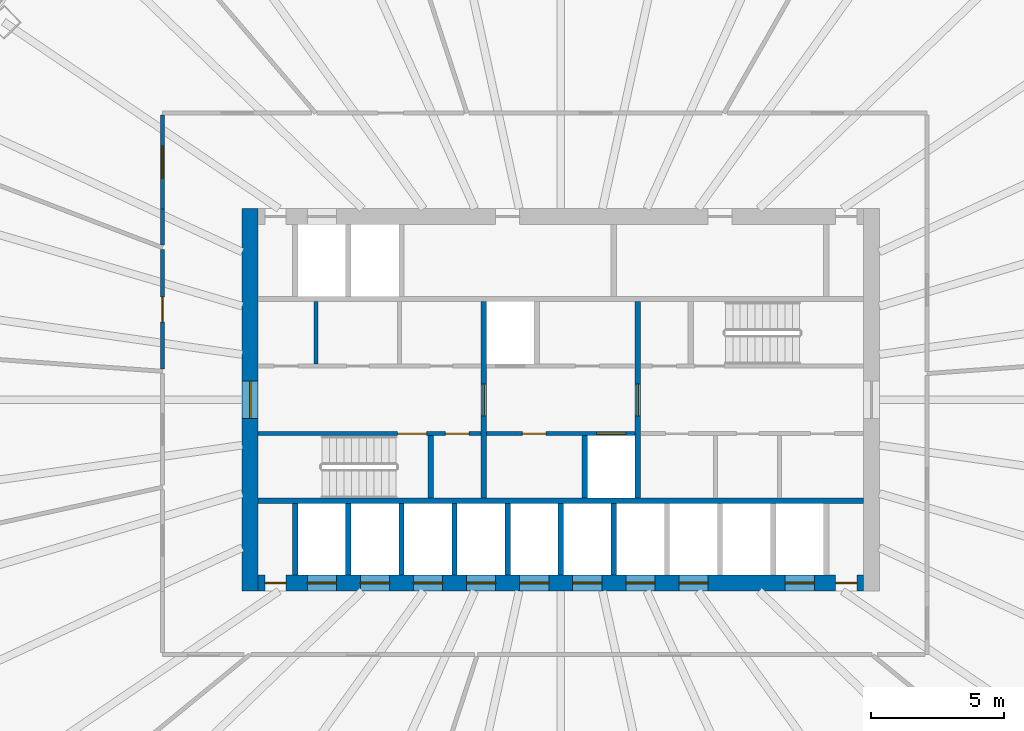
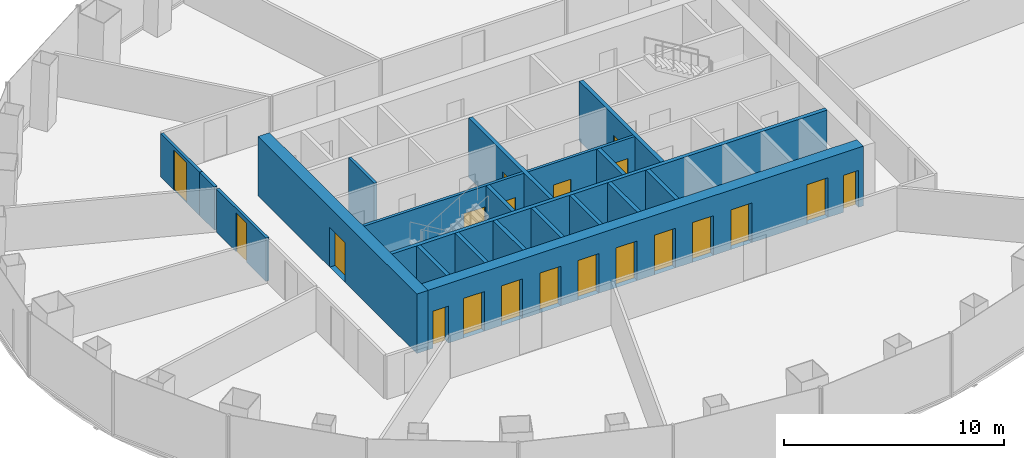
# One storey, part 8 of 11: 20 doors, 20 walls, 20 openings.
"""IFC4 building model written with IfcOpenShell, lengths in metres."""

from ifc_helpers import new_model, si_unit, direction, frame, frame_2d, origin, place, context, subcontext, project, spatial, rectangle, extrude, material, layer, layer_set, type_object, element, fill, save


model = new_model("IFC4")

# Units and contexts
model_context = context("Model", 3, precision=1e-05, world=origin(), true_north=direction((0.0, 1.0)))
body_context = subcontext(model_context, "Body", "Model", "MODEL_VIEW")
ifc_project = project(units=[si_unit("LENGTHUNIT", "METRE"), si_unit("AREAUNIT", "SQUARE_METRE"), si_unit("VOLUMEUNIT", "CUBIC_METRE"), si_unit("PLANEANGLEUNIT", "RADIAN"), si_unit("MASSUNIT", "GRAM", prefix="KILO")], contexts=[model_context])

# Site, building, storey
site_placement = place(None, origin())
site = spatial("IfcSite", under=ifc_project, at=site_placement, CompositionType="ELEMENT")
building_placement = place(site_placement, origin())
building = spatial("IfcBuilding", under=site, at=building_placement, Name="Siaravel Broadcast Tower", CompositionType="ELEMENT")
storey_placement = place(building_placement, frame((0.0, 0.0, 40.800048828125)))
storey = spatial("IfcBuildingStorey", under=building, at=storey_placement, Name="L08", CompositionType="ELEMENT", Elevation=40.800048828125)

# Wall
ifc_material_1 = material(Name="Concrete blockwork", Category="masonry")
ifc_layer_1 = layer(ifc_material_1, 0.14990234375)
ifc_layer_set_1 = layer_set([ifc_layer_1], Name="Concrete blockwork")
wall_type_1 = type_object("IfcWallType", Name="Core partition 150", PredefinedType="PARTITIONING", material=ifc_layer_set_1)
wall_1_placement = place(storey_placement, frame((-9.218994140625, 1.35009765625, 0.0), z_axis=(0.0, 0.0, 1.0), x_axis=(0.0, 1.0, 0.0)))
element("IfcWall", 1, at=wall_1_placement, inside=storey, type_object=wall_type_1, Name="L08 core partition PNW0", PredefinedType="PARTITIONING", context=body_context, shape_type="SweptSolid", body=[
    extrude(rectangle(XDim=2.349853515625, YDim=0.14990234375, at=frame_2d((1.1748046875, 0.0))), origin(), (0.0, 0.0, 1.0), 3.300048828125),
])

# Wall, opening, door
ifc_material_2 = material(Name="Concrete C60/75", Category="concrete")
ifc_layer_2 = layer(ifc_material_2, 0.60009765625)
ifc_layer_set_2 = layer_set([ifc_layer_2], Name="Concrete C60/75")
wall_type_2 = type_object("IfcWallType", Name="Core wall 600", PredefinedType="SHEAR", material=ifc_layer_set_2)
wall_2_placement = place(storey_placement, frame((-11.699951171875, -7.199951171875, 0.0), z_axis=(0.0, 0.0, 1.0), x_axis=(0.0, 1.0, 0.0)))
wall_2 = element("IfcWall", 2, at=wall_2_placement, inside=storey, type_object=wall_type_2, Name="L08 core wall OW", PredefinedType="SHEAR", context=body_context, shape_type="SweptSolid", body=[
    extrude(rectangle(XDim=14.39990234375, YDim=0.60009765625, at=frame_2d((7.199951171875, 0.0))), origin(), (0.0, 0.0, 1.0), 3.300048828125),
])
opening_1_placement = place(wall_2_placement, frame((6.5, 0.0, 0.0)))
opening_1 = element("IfcOpeningElement", 3, at=opening_1_placement, cuts=wall_2, Name="Opening L08-DX-W", PredefinedType="OPENING", context=body_context, shape_type="SweptSolid", body=[
    extrude(rectangle(XDim=1.39990234375, YDim=2.199951171875, at=frame_2d((0.699951171875, 1.10009765625))), frame((0.0, 0.31005859375, 0.0), z_axis=(0.0, -1.0, 0.0), x_axis=(1.0, 0.0, 0.0)), (0.0, 0.0, 1.0), 0.6201171875),
])
ifc_material_3 = material(Name="Steel", Category="steel")
door_type_1 = type_object("IfcDoorType", Name="Core exit door 1400", OperationType="DOUBLE_DOOR_SINGLE_SWING", PredefinedType="DOOR", material=ifc_material_3)
door_1_placement = place(opening_1_placement, origin())
door_1 = element("IfcDoor", 4, at=door_1_placement, inside=storey, type_object=door_type_1, Name="L08 door DX-W", OperationType="DOUBLE_DOOR_SINGLE_SWING", OverallHeight=2.199951171875, OverallWidth=1.39990234375, PredefinedType="DOOR", context=body_context, shape_type="SweptSolid", body=[
    extrude(rectangle(XDim=1.39990234375, YDim=2.199951171875, at=frame_2d((0.699951171875, 1.10009765625))), frame((0.0, 0.02490234375, 0.0), z_axis=(0.0, -1.0, 0.0), x_axis=(1.0, 0.0, 0.0)), (0.0, 0.0, 1.0), 0.050048828125),
])
fill(opening_1, door_1)

# Wall, openings, doors
wall_3_placement = place(storey_placement, frame((-11.39990234375, -6.89990234375, 0.0), z_axis=(0.0, 0.0, 1.0), x_axis=(1.0, 0.0, 0.0)))
wall_3 = element("IfcWall", 5, at=wall_3_placement, inside=storey, type_object=wall_type_2, Name="L08 core wall OS", PredefinedType="SHEAR", context=body_context, shape_type="SweptSolid", body=[
    extrude(rectangle(XDim=22.7998046875, YDim=0.60009765625, at=frame_2d((11.39990234375, 0.0))), origin(), (0.0, 0.0, 1.0), 3.300048828125),
])
opening_2_placement = place(wall_3_placement, frame((1.85009765625, 0.0, 0.0)))
opening_2 = element("IfcOpeningElement", 6, at=opening_2_placement, cuts=wall_3, Name="Opening LD-LP1-L08", PredefinedType="OPENING", context=body_context, shape_type="SweptSolid", body=[
    extrude(rectangle(XDim=1.10009765625, YDim=2.199951171875, at=frame_2d((0.550048828125, 1.10009765625))), frame((0.0, 0.31005859375, 0.0), z_axis=(0.0, -1.0, 0.0), x_axis=(1.0, 0.0, 0.0)), (0.0, 0.0, 1.0), 0.6201171875),
])
opening_3_placement = place(wall_3_placement, frame((3.85009765625, 0.0, 0.0)))
opening_3 = element("IfcOpeningElement", 7, at=opening_3_placement, cuts=wall_3, Name="Opening LD-LP2-L08", PredefinedType="OPENING", context=body_context, shape_type="SweptSolid", body=[
    extrude(rectangle(XDim=1.10009765625, YDim=2.199951171875, at=frame_2d((0.550048828125, 1.10009765625))), frame((0.0, 0.31005859375, 0.0), z_axis=(0.0, -1.0, 0.0), x_axis=(1.0, 0.0, 0.0)), (0.0, 0.0, 1.0), 0.6201171875),
])
opening_4_placement = place(wall_3_placement, frame((5.85009765625, 0.0, 0.0)))
opening_4 = element("IfcOpeningElement", 8, at=opening_4_placement, cuts=wall_3, Name="Opening LD-LP3-L08", PredefinedType="OPENING", context=body_context, shape_type="SweptSolid", body=[
    extrude(rectangle(XDim=1.10009765625, YDim=2.199951171875, at=frame_2d((0.550048828125, 1.10009765625))), frame((0.0, 0.31005859375, 0.0), z_axis=(0.0, -1.0, 0.0), x_axis=(1.0, 0.0, 0.0)), (0.0, 0.0, 1.0), 0.6201171875),
])
opening_5_placement = place(wall_3_placement, frame((7.85009765625, 0.0, 0.0)))
opening_5 = element("IfcOpeningElement", 9, at=opening_5_placement, cuts=wall_3, Name="Opening LD-LP4-L08", PredefinedType="OPENING", context=body_context, shape_type="SweptSolid", body=[
    extrude(rectangle(XDim=1.10009765625, YDim=2.199951171875, at=frame_2d((0.550048828125, 1.10009765625))), frame((0.0, 0.31005859375, 0.0), z_axis=(0.0, -1.0, 0.0), x_axis=(1.0, 0.0, 0.0)), (0.0, 0.0, 1.0), 0.6201171875),
])
opening_6_placement = place(wall_3_placement, frame((9.85009765625, 0.0, 0.0)))
opening_6 = element("IfcOpeningElement", 10, at=opening_6_placement, cuts=wall_3, Name="Opening LD-LP5-L08", PredefinedType="OPENING", context=body_context, shape_type="SweptSolid", body=[
    extrude(rectangle(XDim=1.10009765625, YDim=2.199951171875, at=frame_2d((0.550048828125, 1.10009765625))), frame((0.0, 0.31005859375, 0.0), z_axis=(0.0, -1.0, 0.0), x_axis=(1.0, 0.0, 0.0)), (0.0, 0.0, 1.0), 0.6201171875),
])
opening_7_placement = place(wall_3_placement, frame((11.85009765625, 0.0, 0.0)))
opening_7 = element("IfcOpeningElement", 11, at=opening_7_placement, cuts=wall_3, Name="Opening LD-LP6-L08", PredefinedType="OPENING", context=body_context, shape_type="SweptSolid", body=[
    extrude(rectangle(XDim=1.10009765625, YDim=2.199951171875, at=frame_2d((0.550048828125, 1.10009765625))), frame((0.0, 0.31005859375, 0.0), z_axis=(0.0, -1.0, 0.0), x_axis=(1.0, 0.0, 0.0)), (0.0, 0.0, 1.0), 0.6201171875),
])
opening_8_placement = place(wall_3_placement, frame((13.85009765625, 0.0, 0.0)))
opening_8 = element("IfcOpeningElement", 12, at=opening_8_placement, cuts=wall_3, Name="Opening LD-LP7-L08", PredefinedType="OPENING", context=body_context, shape_type="SweptSolid", body=[
    extrude(rectangle(XDim=1.10009765625, YDim=2.199951171875, at=frame_2d((0.550048828125, 1.10009765625))), frame((0.0, 0.31005859375, 0.0), z_axis=(0.0, -1.0, 0.0), x_axis=(1.0, 0.0, 0.0)), (0.0, 0.0, 1.0), 0.6201171875),
])
opening_9_placement = place(wall_3_placement, frame((15.85009765625, 0.0, 0.0)))
opening_9 = element("IfcOpeningElement", 13, at=opening_9_placement, cuts=wall_3, Name="Opening LD-LP8-L08", PredefinedType="OPENING", context=body_context, shape_type="SweptSolid", body=[
    extrude(rectangle(XDim=1.10009765625, YDim=2.199951171875, at=frame_2d((0.550048828125, 1.10009765625))), frame((0.0, 0.31005859375, 0.0), z_axis=(0.0, -1.0, 0.0), x_axis=(1.0, 0.0, 0.0)), (0.0, 0.0, 1.0), 0.6201171875),
])
opening_10_placement = place(wall_3_placement, frame((19.85009765625, 0.0, 0.0)))
opening_10 = element("IfcOpeningElement", 14, at=opening_10_placement, cuts=wall_3, Name="Opening LD-SV1-L08", PredefinedType="OPENING", context=body_context, shape_type="SweptSolid", body=[
    extrude(rectangle(XDim=1.10009765625, YDim=2.199951171875, at=frame_2d((0.550048828125, 1.10009765625))), frame((0.0, 0.31005859375, 0.0), z_axis=(0.0, -1.0, 0.0), x_axis=(1.0, 0.0, 0.0)), (0.0, 0.0, 1.0), 0.6201171875),
])
opening_11_placement = place(wall_3_placement, frame((0.25, 0.0, 0.0)))
opening_11 = element("IfcOpeningElement", 15, at=opening_11_placement, cuts=wall_3, Name="Opening L08-DRSW", PredefinedType="OPENING", context=body_context, shape_type="SweptSolid", body=[
    extrude(rectangle(XDim=0.800048828125, YDim=2.050048828125, at=frame_2d((0.39990234375, 1.02490234375))), frame((0.0, 0.31005859375, 0.0), z_axis=(0.0, -1.0, 0.0), x_axis=(1.0, 0.0, 0.0)), (0.0, 0.0, 1.0), 0.6201171875),
])
opening_12_placement = place(wall_3_placement, frame((21.75, 0.0, 0.0)))
opening_12 = element("IfcOpeningElement", 16, at=opening_12_placement, cuts=wall_3, Name="Opening L08-DRSE", PredefinedType="OPENING", context=body_context, shape_type="SweptSolid", body=[
    extrude(rectangle(XDim=0.800048828125, YDim=2.050048828125, at=frame_2d((0.39990234375, 1.02490234375))), frame((0.0, 0.31005859375, 0.0), z_axis=(0.0, -1.0, 0.0), x_axis=(1.0, 0.0, 0.0)), (0.0, 0.0, 1.0), 0.6201171875),
])
ifc_material_4 = material(Name="Stainless steel 316L", Category="steel")
door_type_2 = type_object("IfcDoorType", Name="Lift landing door 1100", OperationType="DOUBLE_DOOR_SLIDING", PredefinedType="DOOR", material=ifc_material_4)
door_2_placement = place(opening_2_placement, origin())
door_2 = element("IfcDoor", 17, at=door_2_placement, inside=storey, type_object=door_type_2, Name="Landing door LP1 L08", OperationType="DOUBLE_DOOR_SLIDING", OverallHeight=2.199951171875, OverallWidth=1.10009765625, PredefinedType="DOOR", context=body_context, shape_type="SweptSolid", body=[
    extrude(rectangle(XDim=1.10009765625, YDim=2.199951171875, at=frame_2d((0.550048828125, 1.10009765625))), frame((0.0, 0.02490234375, 0.0), z_axis=(0.0, -1.0, 0.0), x_axis=(1.0, 0.0, 0.0)), (0.0, 0.0, 1.0), 0.050048828125),
])
fill(opening_2, door_2)
door_3_placement = place(opening_3_placement, origin())
door_3 = element("IfcDoor", 18, at=door_3_placement, inside=storey, type_object=door_type_2, Name="Landing door LP2 L08", OperationType="DOUBLE_DOOR_SLIDING", OverallHeight=2.199951171875, OverallWidth=1.10009765625, PredefinedType="DOOR", context=body_context, shape_type="SweptSolid", body=[
    extrude(rectangle(XDim=1.10009765625, YDim=2.199951171875, at=frame_2d((0.550048828125, 1.10009765625))), frame((0.0, 0.02490234375, 0.0), z_axis=(0.0, -1.0, 0.0), x_axis=(1.0, 0.0, 0.0)), (0.0, 0.0, 1.0), 0.050048828125),
])
fill(opening_3, door_3)
door_4_placement = place(opening_4_placement, origin())
door_4 = element("IfcDoor", 19, at=door_4_placement, inside=storey, type_object=door_type_2, Name="Landing door LP3 L08", OperationType="DOUBLE_DOOR_SLIDING", OverallHeight=2.199951171875, OverallWidth=1.10009765625, PredefinedType="DOOR", context=body_context, shape_type="SweptSolid", body=[
    extrude(rectangle(XDim=1.10009765625, YDim=2.199951171875, at=frame_2d((0.550048828125, 1.10009765625))), frame((0.0, 0.02490234375, 0.0), z_axis=(0.0, -1.0, 0.0), x_axis=(1.0, 0.0, 0.0)), (0.0, 0.0, 1.0), 0.050048828125),
])
fill(opening_4, door_4)
door_5_placement = place(opening_5_placement, origin())
door_5 = element("IfcDoor", 20, at=door_5_placement, inside=storey, type_object=door_type_2, Name="Landing door LP4 L08", OperationType="DOUBLE_DOOR_SLIDING", OverallHeight=2.199951171875, OverallWidth=1.10009765625, PredefinedType="DOOR", context=body_context, shape_type="SweptSolid", body=[
    extrude(rectangle(XDim=1.10009765625, YDim=2.199951171875, at=frame_2d((0.550048828125, 1.10009765625))), frame((0.0, 0.02490234375, 0.0), z_axis=(0.0, -1.0, 0.0), x_axis=(1.0, 0.0, 0.0)), (0.0, 0.0, 1.0), 0.050048828125),
])
fill(opening_5, door_5)
door_6_placement = place(opening_6_placement, origin())
door_6 = element("IfcDoor", 21, at=door_6_placement, inside=storey, type_object=door_type_2, Name="Landing door LP5 L08", OperationType="DOUBLE_DOOR_SLIDING", OverallHeight=2.199951171875, OverallWidth=1.10009765625, PredefinedType="DOOR", context=body_context, shape_type="SweptSolid", body=[
    extrude(rectangle(XDim=1.10009765625, YDim=2.199951171875, at=frame_2d((0.550048828125, 1.10009765625))), frame((0.0, 0.02490234375, 0.0), z_axis=(0.0, -1.0, 0.0), x_axis=(1.0, 0.0, 0.0)), (0.0, 0.0, 1.0), 0.050048828125),
])
fill(opening_6, door_6)
door_7_placement = place(opening_7_placement, origin())
door_7 = element("IfcDoor", 22, at=door_7_placement, inside=storey, type_object=door_type_2, Name="Landing door LP6 L08", OperationType="DOUBLE_DOOR_SLIDING", OverallHeight=2.199951171875, OverallWidth=1.10009765625, PredefinedType="DOOR", context=body_context, shape_type="SweptSolid", body=[
    extrude(rectangle(XDim=1.10009765625, YDim=2.199951171875, at=frame_2d((0.550048828125, 1.10009765625))), frame((0.0, 0.02490234375, 0.0), z_axis=(0.0, -1.0, 0.0), x_axis=(1.0, 0.0, 0.0)), (0.0, 0.0, 1.0), 0.050048828125),
])
fill(opening_7, door_7)
door_8_placement = place(opening_8_placement, origin())
door_8 = element("IfcDoor", 23, at=door_8_placement, inside=storey, type_object=door_type_2, Name="Landing door LP7 L08", OperationType="DOUBLE_DOOR_SLIDING", OverallHeight=2.199951171875, OverallWidth=1.10009765625, PredefinedType="DOOR", context=body_context, shape_type="SweptSolid", body=[
    extrude(rectangle(XDim=1.10009765625, YDim=2.199951171875, at=frame_2d((0.550048828125, 1.10009765625))), frame((0.0, 0.02490234375, 0.0), z_axis=(0.0, -1.0, 0.0), x_axis=(1.0, 0.0, 0.0)), (0.0, 0.0, 1.0), 0.050048828125),
])
fill(opening_8, door_8)
door_9_placement = place(opening_9_placement, origin())
door_9 = element("IfcDoor", 24, at=door_9_placement, inside=storey, type_object=door_type_2, Name="Landing door LP8 L08", OperationType="DOUBLE_DOOR_SLIDING", OverallHeight=2.199951171875, OverallWidth=1.10009765625, PredefinedType="DOOR", context=body_context, shape_type="SweptSolid", body=[
    extrude(rectangle(XDim=1.10009765625, YDim=2.199951171875, at=frame_2d((0.550048828125, 1.10009765625))), frame((0.0, 0.02490234375, 0.0), z_axis=(0.0, -1.0, 0.0), x_axis=(1.0, 0.0, 0.0)), (0.0, 0.0, 1.0), 0.050048828125),
])
fill(opening_9, door_9)
door_type_3 = type_object("IfcDoorType", Name="Riser door 800", OperationType="SINGLE_SWING_LEFT", PredefinedType="DOOR", material=ifc_material_3)
door_10_placement = place(opening_11_placement, origin())
door_10 = element("IfcDoor", 25, at=door_10_placement, inside=storey, type_object=door_type_3, Name="L08 door DRSW", OperationType="SINGLE_SWING_LEFT", OverallHeight=2.050048828125, OverallWidth=0.800048828125, PredefinedType="DOOR", context=body_context, shape_type="SweptSolid", body=[
    extrude(rectangle(XDim=0.800048828125, YDim=2.050048828125, at=frame_2d((0.39990234375, 1.02490234375))), frame((0.0, 0.02490234375, 0.0), z_axis=(0.0, -1.0, 0.0), x_axis=(1.0, 0.0, 0.0)), (0.0, 0.0, 1.0), 0.050048828125),
])
fill(opening_11, door_10)
door_11_placement = place(opening_12_placement, origin())
door_11 = element("IfcDoor", 26, at=door_11_placement, inside=storey, type_object=door_type_3, Name="L08 door DRSE", OperationType="SINGLE_SWING_LEFT", OverallHeight=2.050048828125, OverallWidth=0.800048828125, PredefinedType="DOOR", context=body_context, shape_type="SweptSolid", body=[
    extrude(rectangle(XDim=0.800048828125, YDim=2.050048828125, at=frame_2d((0.39990234375, 1.02490234375))), frame((0.0, 0.02490234375, 0.0), z_axis=(0.0, -1.0, 0.0), x_axis=(1.0, 0.0, 0.0)), (0.0, 0.0, 1.0), 0.050048828125),
])
fill(opening_12, door_11)
door_type_4 = type_object("IfcDoorType", Name="Service lift landing door 1100", OperationType="DOUBLE_DOOR_SLIDING", PredefinedType="DOOR", material=ifc_material_4)
door_12_placement = place(opening_10_placement, origin())
door_12 = element("IfcDoor", 27, at=door_12_placement, inside=storey, type_object=door_type_4, Name="Landing door SV1 L08", OperationType="DOUBLE_DOOR_SLIDING", OverallHeight=2.199951171875, OverallWidth=1.10009765625, PredefinedType="DOOR", context=body_context, shape_type="SweptSolid", body=[
    extrude(rectangle(XDim=1.10009765625, YDim=2.199951171875, at=frame_2d((0.550048828125, 1.10009765625))), frame((0.0, 0.02490234375, 0.0), z_axis=(0.0, -1.0, 0.0), x_axis=(1.0, 0.0, 0.0)), (0.0, 0.0, 1.0), 0.050048828125),
])
fill(opening_10, door_12)

# Wall, opening, door
ifc_material_5 = material(Name="Gypsum board partition", Category="gypsum")
ifc_layer_3 = layer(ifc_material_5, 0.14990234375)
ifc_layer_set_3 = layer_set([ifc_layer_3], Name="Gypsum board partition")
wall_type_3 = type_object("IfcWallType", Name="Corridor wall 150", PredefinedType="PARTITIONING", material=ifc_layer_set_3)
wall_4_placement = place(storey_placement, frame((-15.0, 5.6572265625, 0.0), z_axis=(0.0, 0.0, 1.0), x_axis=(0.0, -1.0, 0.0)))
wall_4 = element("IfcWall", 28, at=wall_4_placement, inside=storey, type_object=wall_type_3, Name="L08 partition 19", PredefinedType="PARTITIONING", context=body_context, shape_type="SweptSolid", body=[
    extrude(rectangle(XDim=4.499755859375, YDim=0.14990234375, at=frame_2d((2.25, 0.0))), origin(), (0.0, 0.0, 1.0), 2.39990234375),
])
opening_13_placement = place(wall_4_placement, frame((1.77490234375, 0.0, 0.0)))
opening_13 = element("IfcOpeningElement", 29, at=opening_13_placement, cuts=wall_4, Name="Opening L08-009", PredefinedType="OPENING", context=body_context, shape_type="SweptSolid", body=[
    extrude(rectangle(XDim=0.949951171875, YDim=2.14990234375, at=frame_2d((0.47509765625, 1.074951171875))), frame((0.0, 0.0849609375, 0.0), z_axis=(0.0, -1.0, 0.0), x_axis=(1.0, 0.0, 0.0)), (0.0, 0.0, 1.0), 0.169921875),
])
ifc_material_6 = material(Name="Timber veneer", Category="wood")
door_type_5 = type_object("IfcDoorType", Name="Office door 950", OperationType="SINGLE_SWING_LEFT", PredefinedType="DOOR", material=ifc_material_6)
door_13_placement = place(opening_13_placement, origin())
door_13 = element("IfcDoor", 30, at=door_13_placement, inside=storey, type_object=door_type_5, Name="L08 door to Graphics studio", OperationType="SINGLE_SWING_LEFT", OverallHeight=2.14990234375, OverallWidth=0.949951171875, PredefinedType="DOOR", context=body_context, shape_type="SweptSolid", body=[
    extrude(rectangle(XDim=0.949951171875, YDim=2.14990234375, at=frame_2d((0.47509765625, 1.074951171875))), frame((0.0, 0.02490234375, 0.0), z_axis=(0.0, -1.0, 0.0), x_axis=(1.0, 0.0, 0.0)), (0.0, 0.0, 1.0), 0.050048828125),
])
fill(opening_13, door_13)

wall_5_placement = place(storey_placement, frame((-15.0, 10.722900390625, 0.0), z_axis=(0.0, 0.0, 1.0), x_axis=(0.0, -1.0, 0.0)))
wall_5 = element("IfcWall", 31, at=wall_5_placement, inside=storey, type_object=wall_type_3, Name="L08 partition 22", PredefinedType="PARTITIONING", context=body_context, shape_type="SweptSolid", body=[
    extrude(rectangle(XDim=3.534912109375, YDim=0.14990234375, at=frame_2d((1.767578125, 0.0))), origin(), (0.0, 0.0, 1.0), 2.39990234375),
])
opening_14_placement = place(wall_5_placement, frame((1.16748046875, 0.0, 0.0)))
opening_14 = element("IfcOpeningElement", 32, at=opening_14_placement, cuts=wall_5, Name="Opening L08-008", PredefinedType="OPENING", context=body_context, shape_type="SweptSolid", body=[
    extrude(rectangle(XDim=1.199951171875, YDim=2.199951171875, at=frame_2d((0.60009765625, 1.10009765625))), frame((0.0, 0.0849609375, 0.0), z_axis=(0.0, -1.0, 0.0), x_axis=(1.0, 0.0, 0.0)), (0.0, 0.0, 1.0), 0.169921875),
])
door_type_6 = type_object("IfcDoorType", Name="Office double door 1200", OperationType="DOUBLE_DOOR_SINGLE_SWING", PredefinedType="DOOR", material=ifc_material_6)
door_14_placement = place(opening_14_placement, origin())
door_14 = element("IfcDoor", 33, at=door_14_placement, inside=storey, type_object=door_type_6, Name="L08 door to Open plan newsroom", OperationType="DOUBLE_DOOR_SINGLE_SWING", OverallHeight=2.199951171875, OverallWidth=1.199951171875, PredefinedType="DOOR", context=body_context, shape_type="SweptSolid", body=[
    extrude(rectangle(XDim=1.199951171875, YDim=2.199951171875, at=frame_2d((0.60009765625, 1.10009765625))), frame((0.0, 0.02490234375, 0.0), z_axis=(0.0, -1.0, 0.0), x_axis=(1.0, 0.0, 0.0)), (0.0, 0.0, 1.0), 0.050048828125),
])
fill(opening_14, door_14)

# Wall
wall_6_placement = place(storey_placement, frame((-15.0, 7.18701171875, 0.0), z_axis=(0.0, 0.0, 1.0), x_axis=(0.0, -1.0, 0.0)))
element("IfcWall", 34, at=wall_6_placement, inside=storey, type_object=wall_type_3, Name="L08 partition 28", PredefinedType="PARTITIONING", context=body_context, shape_type="SweptSolid", body=[
    extrude(rectangle(XDim=1.3466796875, YDim=0.14990234375, at=frame_2d((0.67333984375, 0.0))), origin(), (0.0, 0.0, 1.0), 2.39990234375),
])

# Wall, openings, doors
ifc_layer_4 = layer(ifc_material_2, 0.14990234375)
ifc_layer_set_4 = layer_set([ifc_layer_4], Name="Concrete C60/75")
wall_type_4 = type_object("IfcWallType", Name="Shaft wall 150", PredefinedType="SHEAR", material=ifc_layer_set_4)
wall_7_placement = place(storey_placement, frame((-11.39990234375, -1.27490234375, 0.0), z_axis=(0.0, 0.0, 1.0), x_axis=(1.0, 0.0, 0.0)))
wall_7 = element("IfcWall", 35, at=wall_7_placement, inside=storey, type_object=wall_type_4, Name="L08 core wall CSW", PredefinedType="SHEAR", context=body_context, shape_type="SweptSolid", body=[
    extrude(rectangle(XDim=8.39990234375, YDim=0.14990234375, at=frame_2d((4.199951171875, 0.0))), origin(), (0.0, 0.0, 1.0), 3.300048828125),
])
opening_15_placement = place(wall_7_placement, frame((5.25, 0.0, 0.0)))
opening_15 = element("IfcOpeningElement", 36, at=opening_15_placement, cuts=wall_7, Name="Opening L08-DS-1", PredefinedType="OPENING", context=body_context, shape_type="SweptSolid", body=[
    extrude(rectangle(XDim=1.10009765625, YDim=2.14990234375, at=frame_2d((0.550048828125, 1.074951171875))), frame((0.0, 0.0849609375, 0.0), z_axis=(0.0, -1.0, 0.0), x_axis=(1.0, 0.0, 0.0)), (0.0, 0.0, 1.0), 0.169921875),
])
opening_16_placement = place(wall_7_placement, frame((7.050048828125, 0.0, 0.0)))
opening_16 = element("IfcOpeningElement", 37, at=opening_16_placement, cuts=wall_7, Name="Opening L08-DSW0", PredefinedType="OPENING", context=body_context, shape_type="SweptSolid", body=[
    extrude(rectangle(XDim=0.89990234375, YDim=2.10009765625, at=frame_2d((0.449951171875, 1.050048828125))), frame((0.0, 0.0849609375, 0.0), z_axis=(0.0, -1.0, 0.0), x_axis=(1.0, 0.0, 0.0)), (0.0, 0.0, 1.0), 0.169921875),
])
door_type_7 = type_object("IfcDoorType", Name="Core room door 900", OperationType="SINGLE_SWING_LEFT", PredefinedType="DOOR", material=ifc_material_6)
door_15_placement = place(opening_16_placement, origin())
door_15 = element("IfcDoor", 38, at=door_15_placement, inside=storey, type_object=door_type_7, Name="L08 door DSW0", OperationType="SINGLE_SWING_LEFT", OverallHeight=2.10009765625, OverallWidth=0.89990234375, PredefinedType="DOOR", context=body_context, shape_type="SweptSolid", body=[
    extrude(rectangle(XDim=0.89990234375, YDim=2.10009765625, at=frame_2d((0.449951171875, 1.050048828125))), frame((0.0, 0.02490234375, 0.0), z_axis=(0.0, -1.0, 0.0), x_axis=(1.0, 0.0, 0.0)), (0.0, 0.0, 1.0), 0.050048828125),
])
fill(opening_16, door_15)
door_type_8 = type_object("IfcDoorType", Name="Stair door 1100", OperationType="SINGLE_SWING_LEFT", PredefinedType="DOOR", material=ifc_material_3)
door_16_placement = place(opening_15_placement, origin())
door_16 = element("IfcDoor", 39, at=door_16_placement, inside=storey, type_object=door_type_8, Name="L08 door DS-1", OperationType="SINGLE_SWING_LEFT", OverallHeight=2.14990234375, OverallWidth=1.10009765625, PredefinedType="DOOR", context=body_context, shape_type="SweptSolid", body=[
    extrude(rectangle(XDim=1.10009765625, YDim=2.14990234375, at=frame_2d((0.550048828125, 1.074951171875))), frame((0.0, 0.02490234375, 0.0), z_axis=(0.0, -1.0, 0.0), x_axis=(1.0, 0.0, 0.0)), (0.0, 0.0, 1.0), 0.050048828125),
])
fill(opening_15, door_16)

wall_8_placement = place(storey_placement, frame((-2.800048828125, -1.27490234375, 0.0), z_axis=(0.0, 0.0, 1.0), x_axis=(1.0, 0.0, 0.0)))
wall_8 = element("IfcWall", 40, at=wall_8_placement, inside=storey, type_object=wall_type_4, Name="L08 core wall CSM", PredefinedType="SHEAR", context=body_context, shape_type="SweptSolid", body=[
    extrude(rectangle(XDim=5.60009765625, YDim=0.14990234375, at=frame_2d((2.800048828125, 0.0))), origin(), (0.0, 0.0, 1.0), 3.300048828125),
])
opening_17_placement = place(wall_8_placement, frame((4.14990234375, 0.0, 0.0)))
opening_17 = element("IfcOpeningElement", 41, at=opening_17_placement, cuts=wall_8, Name="Opening LD-FL2-L08", PredefinedType="OPENING", context=body_context, shape_type="SweptSolid", body=[
    extrude(rectangle(XDim=1.10009765625, YDim=2.199951171875, at=frame_2d((0.550048828125, 1.10009765625))), frame((0.0, 0.0849609375, 0.0), z_axis=(0.0, -1.0, 0.0), x_axis=(1.0, 0.0, 0.0)), (0.0, 0.0, 1.0), 0.169921875),
])
opening_18_placement = place(wall_8_placement, frame((1.35009765625, 0.0, 0.0)))
opening_18 = element("IfcOpeningElement", 42, at=opening_18_placement, cuts=wall_8, Name="Opening L08-DSM0", PredefinedType="OPENING", context=body_context, shape_type="SweptSolid", body=[
    extrude(rectangle(XDim=0.89990234375, YDim=2.10009765625, at=frame_2d((0.449951171875, 1.050048828125))), frame((0.0, 0.0849609375, 0.0), z_axis=(0.0, -1.0, 0.0), x_axis=(1.0, 0.0, 0.0)), (0.0, 0.0, 1.0), 0.169921875),
])
door_17_placement = place(opening_18_placement, origin())
door_17 = element("IfcDoor", 43, at=door_17_placement, inside=storey, type_object=door_type_7, Name="L08 door DSM0", OperationType="SINGLE_SWING_LEFT", OverallHeight=2.10009765625, OverallWidth=0.89990234375, PredefinedType="DOOR", context=body_context, shape_type="SweptSolid", body=[
    extrude(rectangle(XDim=0.89990234375, YDim=2.10009765625, at=frame_2d((0.449951171875, 1.050048828125))), frame((0.0, 0.02490234375, 0.0), z_axis=(0.0, -1.0, 0.0), x_axis=(1.0, 0.0, 0.0)), (0.0, 0.0, 1.0), 0.050048828125),
])
fill(opening_18, door_17)
door_type_9 = type_object("IfcDoorType", Name="Firefighting lift landing door 1100", OperationType="DOUBLE_DOOR_SLIDING", PredefinedType="DOOR", material=ifc_material_4)
door_18_placement = place(opening_17_placement, origin())
door_18 = element("IfcDoor", 44, at=door_18_placement, inside=storey, type_object=door_type_9, Name="Landing door FL2 L08", OperationType="DOUBLE_DOOR_SLIDING", OverallHeight=2.199951171875, OverallWidth=1.10009765625, PredefinedType="DOOR", context=body_context, shape_type="SweptSolid", body=[
    extrude(rectangle(XDim=1.10009765625, YDim=2.199951171875, at=frame_2d((0.550048828125, 1.10009765625))), frame((0.0, 0.02490234375, 0.0), z_axis=(0.0, -1.0, 0.0), x_axis=(1.0, 0.0, 0.0)), (0.0, 0.0, 1.0), 0.050048828125),
])
fill(opening_17, door_18)

# Walls
ifc_layer_5 = layer(ifc_material_2, 0.199951171875)
ifc_layer_set_5 = layer_set([ifc_layer_5], Name="Concrete C60/75")
wall_type_5 = type_object("IfcWallType", Name="Shaft wall 200", PredefinedType="SHEAR", material=ifc_layer_set_5)
wall_9_placement = place(storey_placement, frame((-11.39990234375, -3.800048828125, 0.0), z_axis=(0.0, 0.0, 1.0), x_axis=(1.0, 0.0, 0.0)))
element("IfcWall", 45, at=wall_9_placement, inside=storey, type_object=wall_type_5, Name="L08 core wall BS", PredefinedType="SHEAR", context=body_context, shape_type="SweptSolid", body=[
    extrude(rectangle(XDim=22.7998046875, YDim=0.199951171875, at=frame_2d((11.39990234375, 0.0))), origin(), (0.0, 0.0, 1.0), 3.300048828125),
])
for number, where, z_axis, x_axis, name in (
    (46, (-10.0, -6.60009765625, 0.0), (0.0, 0.0, 1.0), (0.0, 1.0, 0.0), "L08 core wall SWS0"),
    (47, (-8.0, -6.60009765625, 0.0), (0.0, 0.0, 1.0), (0.0, 1.0, 0.0), "L08 core wall SWS1"),
    (48, (-6.0, -6.60009765625, 0.0), (0.0, 0.0, 1.0), (0.0, 1.0, 0.0), "L08 core wall SWS2"),
    (49, (-4.0, -6.60009765625, 0.0), (0.0, 0.0, 1.0), (0.0, 1.0, 0.0), "L08 core wall SWS3"),
    (50, (-2.0, -6.60009765625, 0.0), (0.0, 0.0, 1.0), (0.0, 1.0, 0.0), "L08 core wall SWS4"),
    (51, (0.0, -6.60009765625, 0.0), (0.0, 0.0, 1.0), (0.0, 1.0, 0.0), "L08 core wall SWS5"),
    (52, (2.0, -6.60009765625, 0.0), (0.0, 0.0, 1.0), (0.0, 1.0, 0.0), "L08 core wall SWS6"),
):
    element("IfcWall", number, at=place(storey_placement, frame(where, z_axis=z_axis, x_axis=x_axis)), inside=storey, type_object=wall_type_5, Name=name, PredefinedType="SHEAR", context=body_context, shape_type="SweptSolid", body=[
        extrude(rectangle(XDim=2.7001953125, YDim=0.199951171875, at=frame_2d((1.35009765625, 0.0))), origin(), (0.0, 0.0, 1.0), 3.300048828125),
    ])

# Wall, opening, door
wall_10_placement = place(storey_placement, frame((-2.89990234375, -3.699951171875, 0.0), z_axis=(0.0, 0.0, 1.0), x_axis=(0.0, 1.0, 0.0)))
wall_10 = element("IfcWall", 53, at=wall_10_placement, inside=storey, type_object=wall_type_5, Name="L08 core wall LW", PredefinedType="SHEAR", context=body_context, shape_type="SweptSolid", body=[
    extrude(rectangle(XDim=7.39990234375, YDim=0.199951171875, at=frame_2d((3.699951171875, 0.0))), origin(), (0.0, 0.0, 1.0), 3.300048828125),
])
opening_19_placement = place(wall_10_placement, frame((3.10009765625, 0.0, 0.0)))
opening_19 = element("IfcOpeningElement", 54, at=opening_19_placement, cuts=wall_10, Name="Opening L08-DL-W", PredefinedType="OPENING", context=body_context, shape_type="SweptSolid", body=[
    extrude(rectangle(XDim=1.199951171875, YDim=2.199951171875, at=frame_2d((0.60009765625, 1.10009765625))), frame((0.0, 0.10986328125, 0.0), z_axis=(0.0, -1.0, 0.0), x_axis=(1.0, 0.0, 0.0)), (0.0, 0.0, 1.0), 0.219970703125),
])
door_type_10 = type_object("IfcDoorType", Name="Firefighting lobby door 1200", OperationType="SINGLE_SWING_LEFT", PredefinedType="DOOR", material=ifc_material_3)
door_19_placement = place(opening_19_placement, origin())
door_19 = element("IfcDoor", 55, at=door_19_placement, inside=storey, type_object=door_type_10, Name="L08 door DL-W", OperationType="SINGLE_SWING_LEFT", OverallHeight=2.199951171875, OverallWidth=1.199951171875, PredefinedType="DOOR", context=body_context, shape_type="SweptSolid", body=[
    extrude(rectangle(XDim=1.199951171875, YDim=2.199951171875, at=frame_2d((0.60009765625, 1.10009765625))), frame((0.0, 0.02490234375, 0.0), z_axis=(0.0, -1.0, 0.0), x_axis=(1.0, 0.0, 0.0)), (0.0, 0.0, 1.0), 0.050048828125),
])
fill(opening_19, door_19)

wall_11_placement = place(storey_placement, frame((2.89990234375, -3.699951171875, 0.0), z_axis=(0.0, 0.0, 1.0), x_axis=(0.0, 1.0, 0.0)))
wall_11 = element("IfcWall", 56, at=wall_11_placement, inside=storey, type_object=wall_type_5, Name="L08 core wall LE", PredefinedType="SHEAR", context=body_context, shape_type="SweptSolid", body=[
    extrude(rectangle(XDim=7.39990234375, YDim=0.199951171875, at=frame_2d((3.699951171875, 0.0))), origin(), (0.0, 0.0, 1.0), 3.300048828125),
])
opening_20_placement = place(wall_11_placement, frame((3.10009765625, 0.0, 0.0)))
opening_20 = element("IfcOpeningElement", 57, at=opening_20_placement, cuts=wall_11, Name="Opening L08-DL-E", PredefinedType="OPENING", context=body_context, shape_type="SweptSolid", body=[
    extrude(rectangle(XDim=1.199951171875, YDim=2.199951171875, at=frame_2d((0.60009765625, 1.10009765625))), frame((0.0, 0.10986328125, 0.0), z_axis=(0.0, -1.0, 0.0), x_axis=(1.0, 0.0, 0.0)), (0.0, 0.0, 1.0), 0.219970703125),
])
door_20_placement = place(opening_20_placement, origin())
door_20 = element("IfcDoor", 58, at=door_20_placement, inside=storey, type_object=door_type_10, Name="L08 door DL-E", OperationType="SINGLE_SWING_LEFT", OverallHeight=2.199951171875, OverallWidth=1.199951171875, PredefinedType="DOOR", context=body_context, shape_type="SweptSolid", body=[
    extrude(rectangle(XDim=1.199951171875, YDim=2.199951171875, at=frame_2d((0.60009765625, 1.10009765625))), frame((0.0, 0.02490234375, 0.0), z_axis=(0.0, -1.0, 0.0), x_axis=(1.0, 0.0, 0.0)), (0.0, 0.0, 1.0), 0.050048828125),
])
fill(opening_20, door_20)

# Walls
for number, where, z_axis, x_axis, name in (
    (59, (0.89990234375, -3.699951171875, 0.0), (0.0, 0.0, 1.0), (0.0, 1.0, 0.0), "L08 core wall FF2W"),
    (60, (-4.89990234375, -3.699951171875, 0.0), (0.0, 0.0, 1.0), (0.0, 1.0, 0.0), "L08 core wall ST1E"),
):
    element("IfcWall", number, at=place(storey_placement, frame(where, z_axis=z_axis, x_axis=x_axis)), inside=storey, type_object=wall_type_5, Name=name, PredefinedType="SHEAR", context=body_context, shape_type="SweptSolid", body=[
        extrude(rectangle(XDim=2.349853515625, YDim=0.199951171875, at=frame_2d((1.1748046875, 0.0))), origin(), (0.0, 0.0, 1.0), 3.300048828125),
    ])

save(model, "model.ifc")
